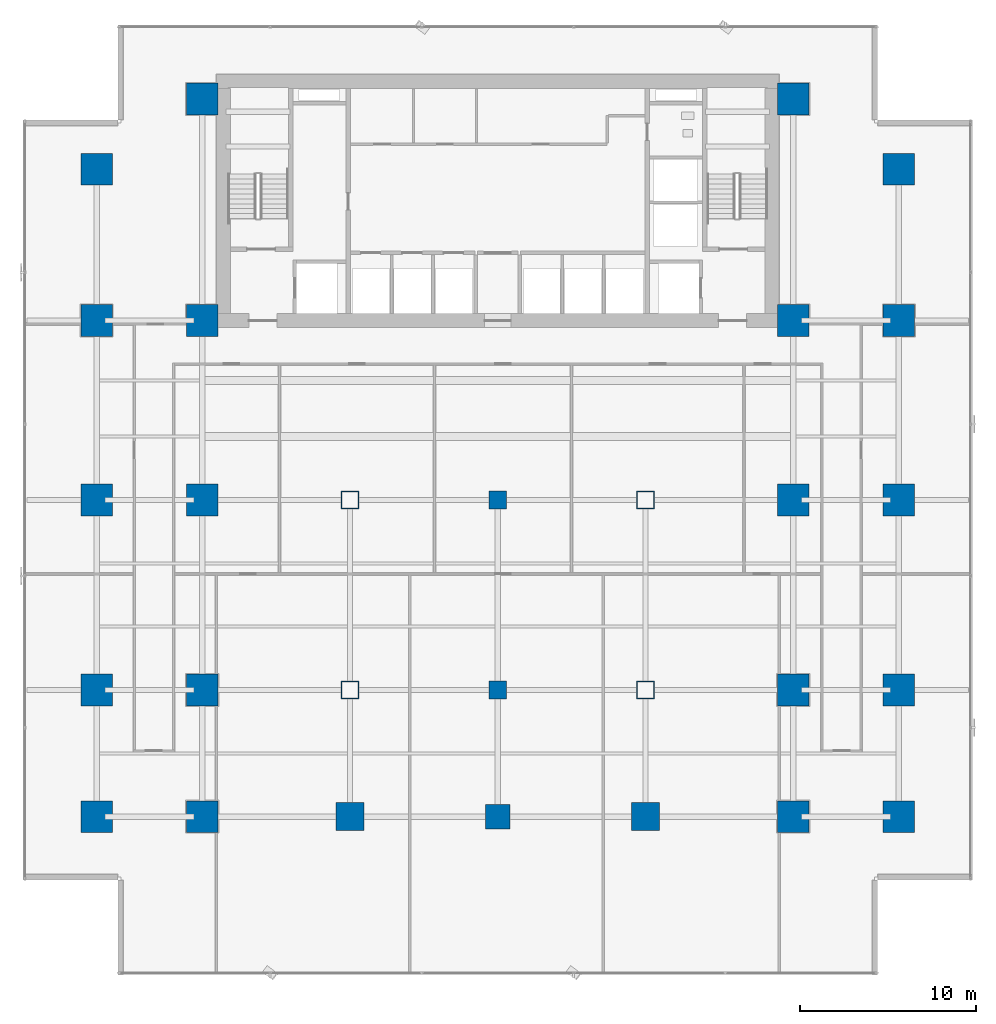
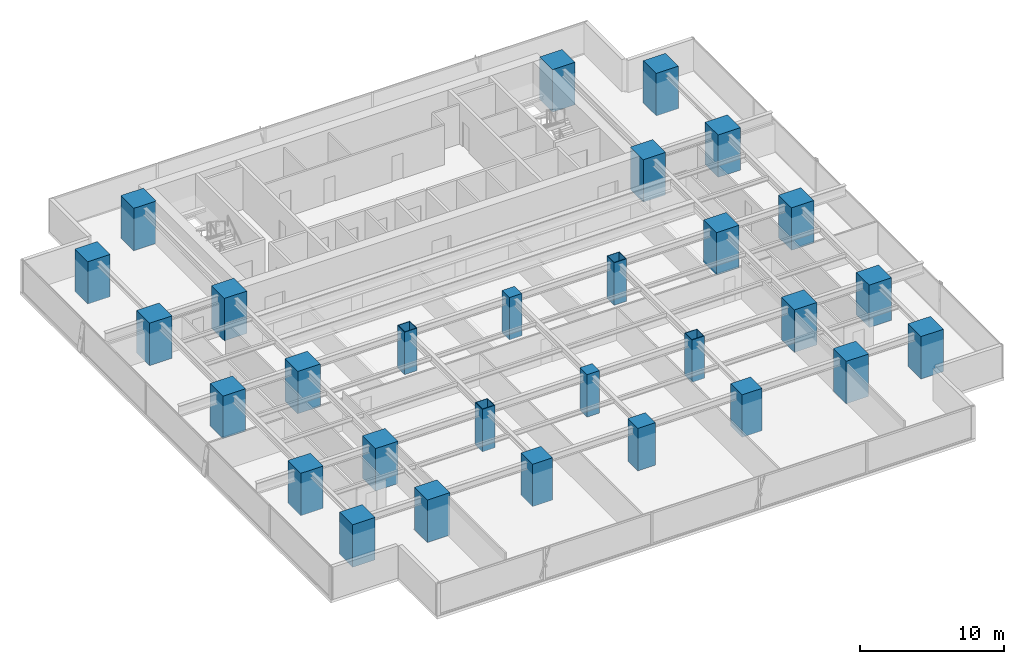
# One storey, part 1 of 33: 29 columns.
"""IFC4 building model written with IfcOpenShell, lengths in metres."""

from ifc_helpers import new_model, si_unit, direction, frame, origin, origin_2d, place, context, subcontext, project, spatial, rectangle, hollow_rectangle, extrude, source, transform, mapped, material, material_profile, profile_set, type_object, element, save


model = new_model("IFC4")

# Units and contexts
model_context = context("Model", 3, precision=1e-05, world=origin(), true_north=direction((0.0, 1.0)))
body_context = subcontext(model_context, "Body", "Model", "MODEL_VIEW")
ifc_project = project(units=[si_unit("LENGTHUNIT", "METRE"), si_unit("AREAUNIT", "SQUARE_METRE"), si_unit("VOLUMEUNIT", "CUBIC_METRE"), si_unit("PLANEANGLEUNIT", "RADIAN"), si_unit("MASSUNIT", "GRAM", prefix="KILO")], contexts=[model_context])

# Site, building, storey
site_placement = place(None, origin())
site = spatial("IfcSite", under=ifc_project, at=site_placement, CompositionType="ELEMENT")
building_placement = place(site_placement, origin())
building = spatial("IfcBuilding", under=site, at=building_placement, Name="Sumidabori Civic Tower", CompositionType="ELEMENT")
storey_placement = place(building_placement, frame((0.0, 0.0, 30.800048828125)))
storey = spatial("IfcBuildingStorey", under=building, at=storey_placement, Name="L07", CompositionType="ELEMENT", Elevation=30.800048828125)

# Columns
ifc_material_1 = material(Name="Concrete C60/75", Category="concrete")
ifc_material_profile_1 = material_profile(ifc_material_1, rectangle(XDim=1.800048828125, YDim=1.800048828125, at=origin_2d()), Name="RC 1800x1800")
ifc_profile_set_1 = profile_set([ifc_material_profile_1], Name="Concrete C60/75")
column_type_1 = type_object("IfcColumnType", Name="CL-MEGA-1800", PredefinedType="COLUMN", material=ifc_profile_set_1)
shared_shape_1 = source(origin(), body_context, "Body", "SweptSolid", [
    extrude(rectangle(XDim=1.800048828125, YDim=1.800048828125, at=origin_2d()), origin(), (0.0, 0.0, 1.0), 3.599853515625),
])
for number, where, z_axis, x_axis, name in (
    (1, (-16.800048828125, -18.0, 0.0), (0.0, 0.0, 1.0), (1.0, 0.0, 0.0), "Column MC-W16-Y18S L07"),
    (2, (-16.800048828125, -10.800048828125, 0.0), (0.0, 0.0, 1.0), (1.0, 0.0, 0.0), "Column MC-W16-Y11S L07"),
    (3, (-16.800048828125, 0.0, 0.0), (0.0, 0.0, 1.0), (1.0, 0.0, 0.0), "Column MC-W16-Y00 L07"),
    (4, (-16.800048828125, 10.199951171875, 0.0), (0.0, 0.0, 1.0), (1.0, 0.0, 0.0), "Column MC-W16-Y10N L07"),
    (5, (-16.800048828125, 22.800048828125, 0.0), (0.0, 0.0, 1.0), (1.0, 0.0, 0.0), "Column MC-W16-Y23N L07"),
    (6, (16.800048828125, -18.0, 0.0), (0.0, 0.0, 1.0), (1.0, 0.0, 0.0), "Column MC-E16-Y18S L07"),
    (7, (16.800048828125, -10.800048828125, 0.0), (0.0, 0.0, 1.0), (1.0, 0.0, 0.0), "Column MC-E16-Y11S L07"),
    (8, (16.800048828125, 0.0, 0.0), (0.0, 0.0, 1.0), (1.0, 0.0, 0.0), "Column MC-E16-Y00 L07"),
    (9, (16.800048828125, 10.199951171875, 0.0), (0.0, 0.0, 1.0), (1.0, 0.0, 0.0), "Column MC-E16-Y10N L07"),
    (10, (16.800048828125, 22.800048828125, 0.0), (0.0, 0.0, 1.0), (1.0, 0.0, 0.0), "Column MC-E16-Y23N L07"),
    (11, (-22.800048828125, -18.0, 0.0), (0.0, 0.0, 1.0), (1.0, 0.0, 0.0), "Column MC-W23-Y18S L07"),
    (12, (-22.800048828125, -10.800048828125, 0.0), (0.0, 0.0, 1.0), (1.0, 0.0, 0.0), "Column MC-W23-Y11S L07"),
    (13, (-22.800048828125, 0.0, 0.0), (0.0, 0.0, 1.0), (1.0, 0.0, 0.0), "Column MC-W23-Y00 L07"),
    (14, (-22.800048828125, 10.199951171875, 0.0), (0.0, 0.0, 1.0), (1.0, 0.0, 0.0), "Column MC-W23-Y10N L07"),
    (15, (-22.800048828125, 18.800048828125, 0.0), (0.0, 0.0, 1.0), (1.0, 0.0, 0.0), "Column MC-W23-Y19N L07"),
    (16, (22.800048828125, -18.0, 0.0), (0.0, 0.0, 1.0), (1.0, 0.0, 0.0), "Column MC-E23-Y18S L07"),
    (17, (22.800048828125, -10.800048828125, 0.0), (0.0, 0.0, 1.0), (1.0, 0.0, 0.0), "Column MC-E23-Y11S L07"),
    (18, (22.800048828125, 0.0, 0.0), (0.0, 0.0, 1.0), (1.0, 0.0, 0.0), "Column MC-E23-Y00 L07"),
    (19, (22.800048828125, 10.199951171875, 0.0), (0.0, 0.0, 1.0), (1.0, 0.0, 0.0), "Column MC-E23-Y10N L07"),
    (20, (22.800048828125, 18.800048828125, 0.0), (0.0, 0.0, 1.0), (1.0, 0.0, 0.0), "Column MC-E23-Y19N L07"),
):
    element("IfcColumn", number, at=place(storey_placement, frame(where, z_axis=z_axis, x_axis=x_axis)), inside=storey, type_object=column_type_1, Name=name, PredefinedType="COLUMN", context=body_context, shape_type="MappedRepresentation", body=[
        mapped(shared_shape_1, transform((0.0, 0.0, 0.0), x_axis=(1.0, 0.0, 0.0), y_axis=(0.0, 1.0, 0.0), z_axis=(0.0, 0.0, 1.0), scale=1.0)),
    ])
ifc_material_profile_2 = material_profile(ifc_material_1, rectangle(XDim=1.60009765625, YDim=1.60009765625, at=origin_2d()), Name="RC 1600x1600")
ifc_profile_set_2 = profile_set([ifc_material_profile_2], Name="Concrete C60/75")
column_type_2 = type_object("IfcColumnType", Name="CL-MEGA-1600", PredefinedType="COLUMN", material=ifc_profile_set_2)
shared_shape_2 = source(origin(), body_context, "Body", "SweptSolid", [
    extrude(rectangle(XDim=1.60009765625, YDim=1.60009765625, at=origin_2d()), origin(), (0.0, 0.0, 1.0), 3.599853515625),
])
for number, where, z_axis, x_axis, name in (
    (21, (-8.39990234375, -18.0, 0.0), (0.0, 0.0, 1.0), (1.0, 0.0, 0.0), "Column MC-W08-Y18S L07"),
    (22, (8.39990234375, -18.0, 0.0), (0.0, 0.0, 1.0), (1.0, 0.0, 0.0), "Column MC-E08-Y18S L07"),
):
    element("IfcColumn", number, at=place(storey_placement, frame(where, z_axis=z_axis, x_axis=x_axis)), inside=storey, type_object=column_type_2, Name=name, PredefinedType="COLUMN", context=body_context, shape_type="MappedRepresentation", body=[
        mapped(shared_shape_2, transform((0.0, 0.0, 0.0), x_axis=(1.0, 0.0, 0.0), y_axis=(0.0, 1.0, 0.0), z_axis=(0.0, 0.0, 1.0), scale=1.0)),
    ])
ifc_material_2 = material(Name="Steel SM570", Category="steel")
ifc_material_profile_3 = material_profile(ifc_material_2, hollow_rectangle(XDim=1.0, YDim=1.0, WallThickness=0.044921875, at=origin_2d()), Name="SHS 1000x1000x45")
ifc_profile_set_3 = profile_set([ifc_material_profile_3], Name="Steel SM570")
column_type_3 = type_object("IfcColumnType", Name="CL-PORTAL-SHS1000", PredefinedType="COLUMN", material=ifc_profile_set_3)
shared_shape_3 = source(origin(), body_context, "Body", "SweptSolid", [
    extrude(hollow_rectangle(XDim=1.0, YDim=1.0, WallThickness=0.044921875, at=origin_2d()), origin(), (0.0, 0.0, 1.0), 3.599853515625),
])
for number, where, z_axis, x_axis, name in (
    (23, (-8.39990234375, 0.0, 0.0), (0.0, 0.0, 1.0), (1.0, 0.0, 0.0), "Column MC-W08-Y00 L07"),
    (24, (-8.39990234375, -10.800048828125, 0.0), (0.0, 0.0, 1.0), (1.0, 0.0, 0.0), "Column MC-W08-Y11S L07"),
    (25, (8.39990234375, 0.0, 0.0), (0.0, 0.0, 1.0), (1.0, 0.0, 0.0), "Column MC-E08-Y00 L07"),
    (26, (8.39990234375, -10.800048828125, 0.0), (0.0, 0.0, 1.0), (1.0, 0.0, 0.0), "Column MC-E08-Y11S L07"),
):
    element("IfcColumn", number, at=place(storey_placement, frame(where, z_axis=z_axis, x_axis=x_axis)), inside=storey, type_object=column_type_3, Name=name, PredefinedType="COLUMN", context=body_context, shape_type="MappedRepresentation", body=[
        mapped(shared_shape_3, transform((0.0, 0.0, 0.0), x_axis=(1.0, 0.0, 0.0), y_axis=(0.0, 1.0, 0.0), z_axis=(0.0, 0.0, 1.0), scale=1.0)),
    ])
ifc_material_profile_4 = material_profile(ifc_material_1, rectangle(XDim=1.39990234375, YDim=1.39990234375, at=origin_2d()), Name="RC 1400x1400")
ifc_profile_set_4 = profile_set([ifc_material_profile_4], Name="Concrete C60/75")
column_type_4 = type_object("IfcColumnType", Name="CL-MEGA-1400", PredefinedType="COLUMN", material=ifc_profile_set_4)
shared_shape_4 = source(origin(), body_context, "Body", "SweptSolid", [
    extrude(rectangle(XDim=1.39990234375, YDim=1.39990234375, at=origin_2d()), origin(), (0.0, 0.0, 1.0), 3.599853515625),
])
column_placement = place(storey_placement, frame((0.0, -18.0, 0.0), z_axis=(0.0, 0.0, 1.0), x_axis=(1.0, 0.0, 0.0)))
element("IfcColumn", 27, at=column_placement, inside=storey, type_object=column_type_4, Name="Column MC-C00-Y18S L07", PredefinedType="COLUMN", context=body_context, shape_type="MappedRepresentation", body=[
    mapped(shared_shape_4, transform((0.0, 0.0, 0.0), x_axis=(1.0, 0.0, 0.0), y_axis=(0.0, 1.0, 0.0), z_axis=(0.0, 0.0, 1.0), scale=1.0)),
])
ifc_material_3 = material(Name="Concrete C50/60", Category="concrete")
ifc_material_profile_5 = material_profile(ifc_material_3, rectangle(XDim=1.0, YDim=1.0, at=origin_2d()), Name="RC 1000x1000")
ifc_profile_set_5 = profile_set([ifc_material_profile_5], Name="Concrete C50/60")
column_type_5 = type_object("IfcColumnType", Name="CL-INT-1000", PredefinedType="COLUMN", material=ifc_profile_set_5)
shared_shape_5 = source(origin(), body_context, "Body", "SweptSolid", [
    extrude(rectangle(XDim=1.0, YDim=1.0, at=origin_2d()), origin(), (0.0, 0.0, 1.0), 3.599853515625),
])
for number, where, z_axis, x_axis, name in (
    (28, (0.0, -10.800048828125, 0.0), (0.0, 0.0, 1.0), (1.0, 0.0, 0.0), "Column MC-C00-Y11S L07"),
    (29, (0.0, 0.0, 0.0), (0.0, 0.0, 1.0), (1.0, 0.0, 0.0), "Column MC-C00-Y00 L07"),
):
    element("IfcColumn", number, at=place(storey_placement, frame(where, z_axis=z_axis, x_axis=x_axis)), inside=storey, type_object=column_type_5, Name=name, PredefinedType="COLUMN", context=body_context, shape_type="MappedRepresentation", body=[
        mapped(shared_shape_5, transform((0.0, 0.0, 0.0), x_axis=(1.0, 0.0, 0.0), y_axis=(0.0, 1.0, 0.0), z_axis=(0.0, 0.0, 1.0), scale=1.0)),
    ])

save(model, "model.ifc")
